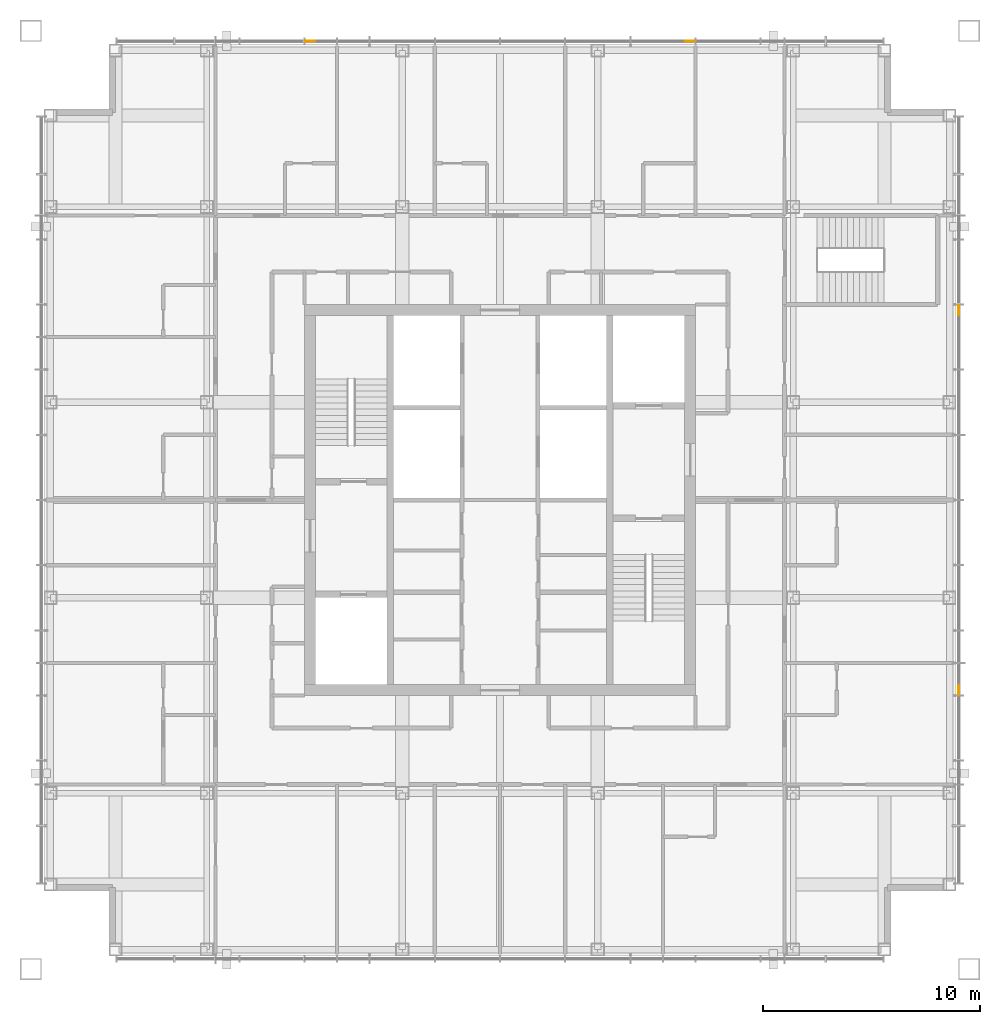
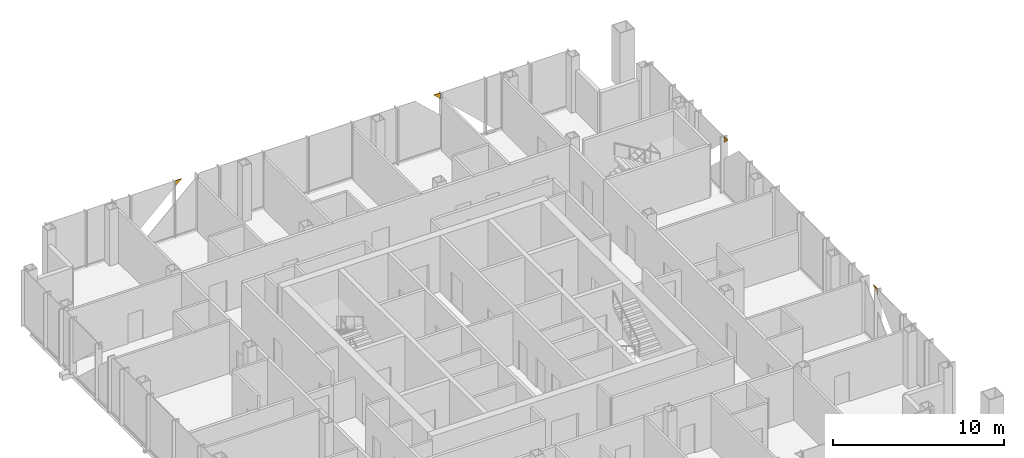
# One storey, part 14 of 14: 4 coverings.
"""IFC4 building model written with IfcOpenShell, lengths in metres."""

from ifc_helpers import new_model, si_unit, direction, frame, origin, place, context, subcontext, project, spatial, polyline, outline, extrude, material, layer, layer_set, type_object, element, save


model = new_model("IFC4")

# Units and contexts
model_context = context("Model", 3, precision=1e-05, world=origin(), true_north=direction((0.0, 1.0)))
body_context = subcontext(model_context, "Body", "Model", "MODEL_VIEW")
ifc_project = project(units=[si_unit("LENGTHUNIT", "METRE"), si_unit("AREAUNIT", "SQUARE_METRE"), si_unit("VOLUMEUNIT", "CUBIC_METRE"), si_unit("PLANEANGLEUNIT", "RADIAN"), si_unit("MASSUNIT", "GRAM", prefix="KILO")], contexts=[model_context])

# Site, building, storey
site_placement = place(None, origin())
site = spatial("IfcSite", under=ifc_project, at=site_placement, CompositionType="ELEMENT")
building_placement = place(site_placement, origin())
building = spatial("IfcBuilding", under=site, at=building_placement, Name="Malebo Sky Hospital", CompositionType="ELEMENT")
storey_placement = place(building_placement, frame((0.0, 0.0, 258.0)))
storey = spatial("IfcBuildingStorey", under=building, at=storey_placement, Name="L62", CompositionType="ELEMENT", Elevation=258.0)

# Coverings
ifc_material = material(Name="Anodised aluminium, natural silver insulated infill panel", Category="aluminium")
ifc_layer = layer(ifc_material, 0.0400390625)
ifc_layer_set = layer_set([ifc_layer], Name="BRACE INFILL PANEL 40")
covering_type = type_object("IfcCoveringType", Name="BRACE INFILL PANEL 40", PredefinedType="CLADDING", material=ifc_layer_set)
covering_1_placement = place(storey_placement, frame((51.263916015625, 83.125, 3.56591796875), z_axis=(0.0, 0.0, 1.0), x_axis=(1.0, 0.0, 0.0)))
element("IfcCovering", 1, at=covering_1_placement, inside=storey, type_object=covering_type, Name="Brace infill panel 5.1", PredefinedType="CLADDING", context=body_context, shape_type="SweptSolid", body=[
    extrude(outline(polyline([(-0.2265625, 0.0), (0.226318359375, 0.424072265625), (-0.2265625, 0.424072265625), (-0.2265625, 0.0)])), frame((0.0, 0.02001953125, 0.0), z_axis=(0.0, -1.0, 0.0), x_axis=(1.0, 0.0, 0.0)), (0.0, 0.0, 1.0), 0.0400390625),
])
covering_2_placement = place(storey_placement, frame((68.736083984375, 83.125, 3.56591796875), z_axis=(0.0, 0.0, 1.0), x_axis=(1.0, 0.0, 0.0)))
element("IfcCovering", 2, at=covering_2_placement, inside=storey, type_object=covering_type, Name="Brace infill panel 11.1", PredefinedType="CLADDING", context=body_context, shape_type="SweptSolid", body=[
    extrude(outline(polyline([(0.226318359375, 0.0), (0.226318359375, 0.424072265625), (-0.2265625, 0.424072265625), (0.226318359375, 0.0)])), frame((0.0, 0.02001953125, 0.0), z_axis=(0.0, -1.0, 0.0), x_axis=(1.0, 0.0, 0.0)), (0.0, 0.0, 1.0), 0.0400390625),
])
covering_3_placement = place(storey_placement, frame((81.125, 70.736083984375, 3.56591796875), z_axis=(0.0, 0.0, 1.0), x_axis=(0.0, -1.0, 0.0)))
element("IfcCovering", 3, at=covering_3_placement, inside=storey, type_object=covering_type, Name="Brace infill panel 5.1", PredefinedType="CLADDING", context=body_context, shape_type="SweptSolid", body=[
    extrude(outline(polyline([(-0.226318359375, 0.0), (0.2265625, 0.424072265625), (-0.226318359375, 0.424072265625), (-0.226318359375, 0.0)])), frame((0.0, 0.02001953125, 0.0), z_axis=(0.0, -1.0, 0.0), x_axis=(1.0, 0.0, 0.0)), (0.0, 0.0, 1.0), 0.0400390625),
])
covering_4_placement = place(storey_placement, frame((81.125, 53.263916015625, 3.56591796875), z_axis=(0.0, 0.0, 1.0), x_axis=(0.0, -1.0, 0.0)))
element("IfcCovering", 4, at=covering_4_placement, inside=storey, type_object=covering_type, Name="Brace infill panel 11.1", PredefinedType="CLADDING", context=body_context, shape_type="SweptSolid", body=[
    extrude(outline(polyline([(0.2265625, 0.0), (0.2265625, 0.424072265625), (-0.226318359375, 0.424072265625), (0.2265625, 0.0)])), frame((0.0, 0.02001953125, 0.0), z_axis=(0.0, -1.0, 0.0), x_axis=(1.0, 0.0, 0.0)), (0.0, 0.0, 1.0), 0.0400390625),
])

save(model, "model.ifc")
